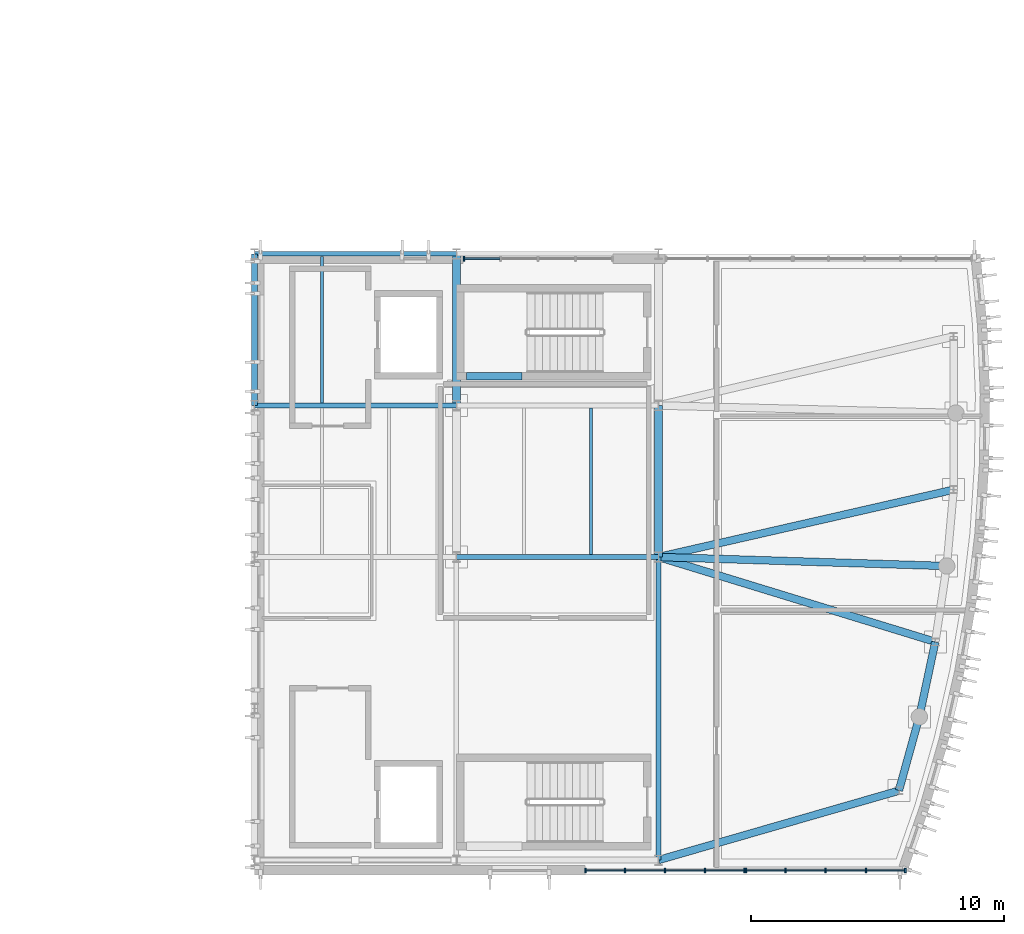
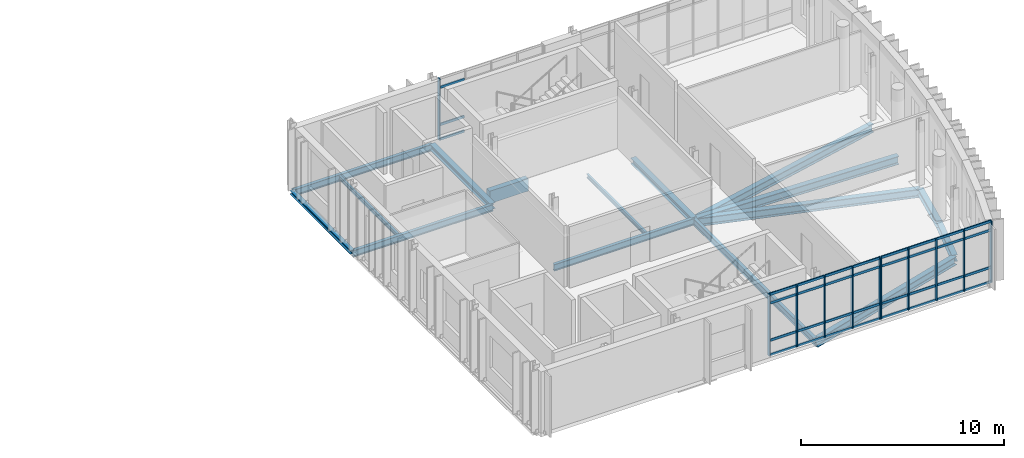
# One storey, part 10 of 28: 46 members, 16 beams, 3 elements without a shape of their own.
"""IFC4 building model written with IfcOpenShell, lengths in metres."""

from ifc_helpers import new_model, si_unit, direction, frame, origin, origin_2d, place, context, subcontext, project, spatial, rectangle, i_section, extrude, material, material_profile, profile_set, type_object, element, aggregate, save


model = new_model("IFC4")

# Units and contexts
model_context = context("Model", 3, precision=1e-05, world=origin(), true_north=direction((0.0, 1.0)))
body_context = subcontext(model_context, "Body", "Model", "MODEL_VIEW")
ifc_project = project(units=[si_unit("LENGTHUNIT", "METRE"), si_unit("AREAUNIT", "SQUARE_METRE"), si_unit("VOLUMEUNIT", "CUBIC_METRE"), si_unit("PLANEANGLEUNIT", "RADIAN"), si_unit("MASSUNIT", "GRAM", prefix="KILO")], contexts=[model_context])

# Site, building, storey
site_placement = place(None, origin())
site = spatial("IfcSite", under=ifc_project, at=site_placement, CompositionType="ELEMENT")
building_placement = place(site_placement, origin())
building = spatial("IfcBuilding", under=site, at=building_placement, Name="Cymarion Research Institute", CompositionType="ELEMENT")
storey_placement = place(building_placement, frame((0.0, 0.0, 30.60009765625)))
storey = spatial("IfcBuildingStorey", under=building, at=storey_placement, Name="L07", CompositionType="ELEMENT", Elevation=30.60009765625)

# Beam
ifc_material_1 = material(Name="Concrete C40/50", Category="concrete")
ifc_material_profile_1 = material_profile(ifc_material_1, rectangle(XDim=0.300048828125, YDim=0.75, at=origin_2d()), Name="RC 300x750")
ifc_profile_set_1 = profile_set([ifc_material_profile_1], Name="Concrete C40/50")
beam_type_1 = type_object("IfcBeamType", Name="COUPLING LINTEL LN01 RC 300x750", PredefinedType="LINTEL", material=ifc_profile_set_1)
beam_1_placement = place(storey_placement, frame((147.0, 24.64990234375, -0.614990234375), z_axis=(1.0, 0.0, 0.0), x_axis=(0.0, 1.0, 0.0)))
element("IfcBeam", 1, at=beam_1_placement, inside=storey, type_object=beam_type_1, Name="L07 C2 core coupling lintel LN01", PredefinedType="LINTEL", context=body_context, shape_type="SweptSolid", body=[
    extrude(rectangle(XDim=0.300048828125, YDim=0.75, at=origin_2d()), origin(), (0.0, 0.0, 1.0), 2.199951171875),
])

# Curtain wall, members
ifc_material_2 = material(Name="Anodised aluminium unitised curtain wall with Low-E glazing", Category="aluminium")
curtain_wall_type_1 = type_object("IfcCurtainWallType", Name="UNITISED CURTAIN WALL CW66 6360X3700", PredefinedType="NOTDEFINED", material=ifc_material_2)
curtain_wall_1_placement = place(storey_placement, origin())
curtain_wall_1 = element("IfcCurtainWall", 2, at=curtain_wall_1_placement, inside=storey, type_object=curtain_wall_type_1, Name="L07 V1 unitised curtain wall CW66 #230", PredefinedType="NOTDEFINED")
ifc_material_3 = material(Name="Anodised aluminium framing", Category="aluminium")
ifc_material_profile_2 = material_profile(ifc_material_3, rectangle(XDim=0.06005859375, YDim=0.179931640625, at=origin_2d()), Name="ALU MULLION 60x180")
ifc_profile_set_2 = profile_set([ifc_material_profile_2], Name="Anodised aluminium framing")
member_type_1 = type_object("IfcMemberType", Name="CURTAIN WALL MULLION ML01 60X180", PredefinedType="MULLION", material=ifc_profile_set_2)
member_1_placement = place(storey_placement, frame((151.7109375, 5.090087890625, 0.0), z_axis=(0.0, 0.0, 1.0), x_axis=(1.0, 0.0, 0.0)))
member_1 = element("IfcMember", 3, at=member_1_placement, type_object=member_type_1, Name="CW66 mullion 1", PredefinedType="MULLION", context=body_context, shape_type="SweptSolid", body=[
    extrude(rectangle(XDim=0.06005859375, YDim=0.179931640625, at=origin_2d()), origin(), (0.0, 0.0, 1.0), 3.699951171875),
])
member_2_placement = place(storey_placement, frame((153.27099609375, 5.090087890625, 0.0), z_axis=(0.0, 0.0, 1.0), x_axis=(1.0, 0.0, 0.0)))
member_2 = element("IfcMember", 4, at=member_2_placement, type_object=member_type_1, Name="CW66 mullion 2", PredefinedType="MULLION", context=body_context, shape_type="SweptSolid", body=[
    extrude(rectangle(XDim=0.06005859375, YDim=0.179931640625, at=origin_2d()), origin(), (0.0, 0.0, 1.0), 3.699951171875),
])
member_3_placement = place(storey_placement, frame((154.86083984375, 5.090087890625, 0.0), z_axis=(0.0, 0.0, 1.0), x_axis=(1.0, 0.0, 0.0)))
member_3 = element("IfcMember", 5, at=member_3_placement, type_object=member_type_1, Name="CW66 mullion 3", PredefinedType="MULLION", context=body_context, shape_type="SweptSolid", body=[
    extrude(rectangle(XDim=0.06005859375, YDim=0.179931640625, at=origin_2d()), origin(), (0.0, 0.0, 1.0), 3.699951171875),
])
member_4_placement = place(storey_placement, frame((156.45068359375, 5.090087890625, 0.0), z_axis=(0.0, 0.0, 1.0), x_axis=(1.0, 0.0, 0.0)))
member_4 = element("IfcMember", 6, at=member_4_placement, type_object=member_type_1, Name="CW66 mullion 4", PredefinedType="MULLION", context=body_context, shape_type="SweptSolid", body=[
    extrude(rectangle(XDim=0.06005859375, YDim=0.179931640625, at=origin_2d()), origin(), (0.0, 0.0, 1.0), 3.699951171875),
])
member_5_placement = place(storey_placement, frame((158.010498046875, 5.090087890625, 0.0), z_axis=(0.0, 0.0, 1.0), x_axis=(1.0, 0.0, 0.0)))
member_5 = element("IfcMember", 7, at=member_5_placement, type_object=member_type_1, Name="CW66 mullion 5", PredefinedType="MULLION", context=body_context, shape_type="SweptSolid", body=[
    extrude(rectangle(XDim=0.06005859375, YDim=0.179931640625, at=origin_2d()), origin(), (0.0, 0.0, 1.0), 3.699951171875),
])

curtain_wall_2_placement = place(storey_placement, origin())
curtain_wall_2 = element("IfcCurtainWall", 8, at=curtain_wall_2_placement, inside=storey, type_object=curtain_wall_type_1, Name="L07 V1 unitised curtain wall CW66 #231", PredefinedType="NOTDEFINED")
member_6_placement = place(storey_placement, frame((158.070556640625, 5.090087890625, 0.0), z_axis=(0.0, 0.0, 1.0), x_axis=(1.0, 0.0, 0.0)))
member_6 = element("IfcMember", 9, at=member_6_placement, type_object=member_type_1, Name="CW66 mullion 1", PredefinedType="MULLION", context=body_context, shape_type="SweptSolid", body=[
    extrude(rectangle(XDim=0.06005859375, YDim=0.179931640625, at=origin_2d()), origin(), (0.0, 0.0, 1.0), 3.699951171875),
])
member_7_placement = place(storey_placement, frame((159.63037109375, 5.090087890625, 0.0), z_axis=(0.0, 0.0, 1.0), x_axis=(1.0, 0.0, 0.0)))
member_7 = element("IfcMember", 10, at=member_7_placement, type_object=member_type_1, Name="CW66 mullion 2", PredefinedType="MULLION", context=body_context, shape_type="SweptSolid", body=[
    extrude(rectangle(XDim=0.06005859375, YDim=0.179931640625, at=origin_2d()), origin(), (0.0, 0.0, 1.0), 3.699951171875),
])
member_8_placement = place(storey_placement, frame((161.22021484375, 5.090087890625, 0.0), z_axis=(0.0, 0.0, 1.0), x_axis=(1.0, 0.0, 0.0)))
member_8 = element("IfcMember", 11, at=member_8_placement, type_object=member_type_1, Name="CW66 mullion 3", PredefinedType="MULLION", context=body_context, shape_type="SweptSolid", body=[
    extrude(rectangle(XDim=0.06005859375, YDim=0.179931640625, at=origin_2d()), origin(), (0.0, 0.0, 1.0), 3.699951171875),
])
member_9_placement = place(storey_placement, frame((162.81005859375, 5.090087890625, 0.0), z_axis=(0.0, 0.0, 1.0), x_axis=(1.0, 0.0, 0.0)))
member_9 = element("IfcMember", 12, at=member_9_placement, type_object=member_type_1, Name="CW66 mullion 4", PredefinedType="MULLION", context=body_context, shape_type="SweptSolid", body=[
    extrude(rectangle(XDim=0.06005859375, YDim=0.179931640625, at=origin_2d()), origin(), (0.0, 0.0, 1.0), 3.699951171875),
])
member_10_placement = place(storey_placement, frame((164.3701171875, 5.090087890625, 0.0), z_axis=(0.0, 0.0, 1.0), x_axis=(1.0, 0.0, 0.0)))
member_10 = element("IfcMember", 13, at=member_10_placement, type_object=member_type_1, Name="CW66 mullion 5", PredefinedType="MULLION", context=body_context, shape_type="SweptSolid", body=[
    extrude(rectangle(XDim=0.06005859375, YDim=0.179931640625, at=origin_2d()), origin(), (0.0, 0.0, 1.0), 3.699951171875),
])

# Curtain wall, member
curtain_wall_type_2 = type_object("IfcCurtainWallType", Name="UNITISED CURTAIN WALL CW69 5950X3700", PredefinedType="NOTDEFINED", material=ifc_material_2)
curtain_wall_3_placement = place(storey_placement, origin())
curtain_wall_3 = element("IfcCurtainWall", 14, at=curtain_wall_3_placement, inside=storey, type_object=curtain_wall_type_2, Name="L07 V1 unitised curtain wall CW69 #234", PredefinedType="NOTDEFINED")
member_11_placement = place(storey_placement, frame((146.889892578125, 29.31005859375, 0.0), z_axis=(0.0, 0.0, 1.0), x_axis=(-1.0, 0.0, 0.0)))
member_11 = element("IfcMember", 15, at=member_11_placement, type_object=member_type_1, Name="CW69 mullion 5", PredefinedType="MULLION", context=body_context, shape_type="SweptSolid", body=[
    extrude(rectangle(XDim=0.06005859375, YDim=0.179931640625, at=origin_2d()), origin(), (0.0, 0.0, 1.0), 3.699951171875),
])

# Member
ifc_material_profile_3 = material_profile(ifc_material_3, rectangle(XDim=0.06005859375, YDim=0.14990234375, at=origin_2d()), Name="ALU TRANSOM 60x150")
ifc_profile_set_3 = profile_set([ifc_material_profile_3], Name="Anodised aluminium framing")
member_type_2 = type_object("IfcMemberType", Name="CURTAIN WALL TRANSOM TR01 60X150", PredefinedType="USERDEFINED", material=ifc_profile_set_3)
member_12_placement = place(storey_placement, frame((151.740966796875, 5.090087890625, 0.02978515625), z_axis=(1.0, 0.0, 0.0), x_axis=(0.0, 1.0, 0.0)))
member_12 = element("IfcMember", 16, at=member_12_placement, type_object=member_type_2, Name="CW66 transom 1.1", ObjectType="TRANSOM", PredefinedType="USERDEFINED", context=body_context, shape_type="SweptSolid", body=[
    extrude(rectangle(XDim=0.06005859375, YDim=0.14990234375, at=origin_2d()), origin(), (0.0, 0.0, 1.0), 1.5),
])

member_13_placement = place(storey_placement, frame((151.740966796875, 5.090087890625, 0.89990234375), z_axis=(1.0, 0.0, 0.0), x_axis=(0.0, 1.0, 0.0)))
member_13 = element("IfcMember", 17, at=member_13_placement, type_object=member_type_2, Name="CW66 transom 1.2", ObjectType="TRANSOM", PredefinedType="USERDEFINED", context=body_context, shape_type="SweptSolid", body=[
    extrude(rectangle(XDim=0.06005859375, YDim=0.14990234375, at=origin_2d()), origin(), (0.0, 0.0, 1.0), 1.5),
])

member_14_placement = place(storey_placement, frame((151.740966796875, 5.090087890625, 3.14990234375), z_axis=(1.0, 0.0, 0.0), x_axis=(0.0, 1.0, 0.0)))
member_14 = element("IfcMember", 18, at=member_14_placement, type_object=member_type_2, Name="CW66 transom 1.3", ObjectType="TRANSOM", PredefinedType="USERDEFINED", context=body_context, shape_type="SweptSolid", body=[
    extrude(rectangle(XDim=0.06005859375, YDim=0.14990234375, at=origin_2d()), origin(), (0.0, 0.0, 1.0), 1.5),
])

member_15_placement = place(storey_placement, frame((151.740966796875, 5.090087890625, 3.669921875), z_axis=(1.0, 0.0, 0.0), x_axis=(0.0, 1.0, 0.0)))
member_15 = element("IfcMember", 19, at=member_15_placement, type_object=member_type_2, Name="CW66 transom 1.4", ObjectType="TRANSOM", PredefinedType="USERDEFINED", context=body_context, shape_type="SweptSolid", body=[
    extrude(rectangle(XDim=0.06005859375, YDim=0.14990234375, at=origin_2d()), origin(), (0.0, 0.0, 1.0), 1.5),
])

member_16_placement = place(storey_placement, frame((153.30078125, 5.090087890625, 0.02978515625), z_axis=(1.0, 0.0, 0.0), x_axis=(0.0, 1.0, 0.0)))
member_16 = element("IfcMember", 20, at=member_16_placement, type_object=member_type_2, Name="CW66 transom 2.1", ObjectType="TRANSOM", PredefinedType="USERDEFINED", context=body_context, shape_type="SweptSolid", body=[
    extrude(rectangle(XDim=0.06005859375, YDim=0.14990234375, at=origin_2d()), origin(), (0.0, 0.0, 1.0), 1.530029296875),
])

member_17_placement = place(storey_placement, frame((153.30078125, 5.090087890625, 0.89990234375), z_axis=(1.0, 0.0, 0.0), x_axis=(0.0, 1.0, 0.0)))
member_17 = element("IfcMember", 21, at=member_17_placement, type_object=member_type_2, Name="CW66 transom 2.2", ObjectType="TRANSOM", PredefinedType="USERDEFINED", context=body_context, shape_type="SweptSolid", body=[
    extrude(rectangle(XDim=0.06005859375, YDim=0.14990234375, at=origin_2d()), origin(), (0.0, 0.0, 1.0), 1.530029296875),
])

member_18_placement = place(storey_placement, frame((153.30078125, 5.090087890625, 3.14990234375), z_axis=(1.0, 0.0, 0.0), x_axis=(0.0, 1.0, 0.0)))
member_18 = element("IfcMember", 22, at=member_18_placement, type_object=member_type_2, Name="CW66 transom 2.3", ObjectType="TRANSOM", PredefinedType="USERDEFINED", context=body_context, shape_type="SweptSolid", body=[
    extrude(rectangle(XDim=0.06005859375, YDim=0.14990234375, at=origin_2d()), origin(), (0.0, 0.0, 1.0), 1.530029296875),
])

member_19_placement = place(storey_placement, frame((153.30078125, 5.090087890625, 3.669921875), z_axis=(1.0, 0.0, 0.0), x_axis=(0.0, 1.0, 0.0)))
member_19 = element("IfcMember", 23, at=member_19_placement, type_object=member_type_2, Name="CW66 transom 2.4", ObjectType="TRANSOM", PredefinedType="USERDEFINED", context=body_context, shape_type="SweptSolid", body=[
    extrude(rectangle(XDim=0.06005859375, YDim=0.14990234375, at=origin_2d()), origin(), (0.0, 0.0, 1.0), 1.530029296875),
])

member_20_placement = place(storey_placement, frame((154.890869140625, 5.090087890625, 0.02978515625), z_axis=(1.0, 0.0, 0.0), x_axis=(0.0, 1.0, 0.0)))
member_20 = element("IfcMember", 24, at=member_20_placement, type_object=member_type_2, Name="CW66 transom 3.1", ObjectType="TRANSOM", PredefinedType="USERDEFINED", context=body_context, shape_type="SweptSolid", body=[
    extrude(rectangle(XDim=0.06005859375, YDim=0.14990234375, at=origin_2d()), origin(), (0.0, 0.0, 1.0), 1.52978515625),
])

member_21_placement = place(storey_placement, frame((154.890869140625, 5.090087890625, 0.89990234375), z_axis=(1.0, 0.0, 0.0), x_axis=(0.0, 1.0, 0.0)))
member_21 = element("IfcMember", 25, at=member_21_placement, type_object=member_type_2, Name="CW66 transom 3.2", ObjectType="TRANSOM", PredefinedType="USERDEFINED", context=body_context, shape_type="SweptSolid", body=[
    extrude(rectangle(XDim=0.06005859375, YDim=0.14990234375, at=origin_2d()), origin(), (0.0, 0.0, 1.0), 1.52978515625),
])

member_22_placement = place(storey_placement, frame((154.890869140625, 5.090087890625, 3.14990234375), z_axis=(1.0, 0.0, 0.0), x_axis=(0.0, 1.0, 0.0)))
member_22 = element("IfcMember", 26, at=member_22_placement, type_object=member_type_2, Name="CW66 transom 3.3", ObjectType="TRANSOM", PredefinedType="USERDEFINED", context=body_context, shape_type="SweptSolid", body=[
    extrude(rectangle(XDim=0.06005859375, YDim=0.14990234375, at=origin_2d()), origin(), (0.0, 0.0, 1.0), 1.52978515625),
])

member_23_placement = place(storey_placement, frame((154.890869140625, 5.090087890625, 3.669921875), z_axis=(1.0, 0.0, 0.0), x_axis=(0.0, 1.0, 0.0)))
member_23 = element("IfcMember", 27, at=member_23_placement, type_object=member_type_2, Name="CW66 transom 3.4", ObjectType="TRANSOM", PredefinedType="USERDEFINED", context=body_context, shape_type="SweptSolid", body=[
    extrude(rectangle(XDim=0.06005859375, YDim=0.14990234375, at=origin_2d()), origin(), (0.0, 0.0, 1.0), 1.52978515625),
])

member_24_placement = place(storey_placement, frame((156.480712890625, 5.090087890625, 0.02978515625), z_axis=(1.0, 0.0, 0.0), x_axis=(0.0, 1.0, 0.0)))
member_24 = element("IfcMember", 28, at=member_24_placement, type_object=member_type_2, Name="CW66 transom 4.1", ObjectType="TRANSOM", PredefinedType="USERDEFINED", context=body_context, shape_type="SweptSolid", body=[
    extrude(rectangle(XDim=0.06005859375, YDim=0.14990234375, at=origin_2d()), origin(), (0.0, 0.0, 1.0), 1.499755859375),
])

member_25_placement = place(storey_placement, frame((156.480712890625, 5.090087890625, 0.89990234375), z_axis=(1.0, 0.0, 0.0), x_axis=(0.0, 1.0, 0.0)))
member_25 = element("IfcMember", 29, at=member_25_placement, type_object=member_type_2, Name="CW66 transom 4.2", ObjectType="TRANSOM", PredefinedType="USERDEFINED", context=body_context, shape_type="SweptSolid", body=[
    extrude(rectangle(XDim=0.06005859375, YDim=0.14990234375, at=origin_2d()), origin(), (0.0, 0.0, 1.0), 1.499755859375),
])

member_26_placement = place(storey_placement, frame((156.480712890625, 5.090087890625, 3.14990234375), z_axis=(1.0, 0.0, 0.0), x_axis=(0.0, 1.0, 0.0)))
member_26 = element("IfcMember", 30, at=member_26_placement, type_object=member_type_2, Name="CW66 transom 4.3", ObjectType="TRANSOM", PredefinedType="USERDEFINED", context=body_context, shape_type="SweptSolid", body=[
    extrude(rectangle(XDim=0.06005859375, YDim=0.14990234375, at=origin_2d()), origin(), (0.0, 0.0, 1.0), 1.499755859375),
])

member_27_placement = place(storey_placement, frame((156.480712890625, 5.090087890625, 3.669921875), z_axis=(1.0, 0.0, 0.0), x_axis=(0.0, 1.0, 0.0)))
member_27 = element("IfcMember", 31, at=member_27_placement, type_object=member_type_2, Name="CW66 transom 4.4", ObjectType="TRANSOM", PredefinedType="USERDEFINED", context=body_context, shape_type="SweptSolid", body=[
    extrude(rectangle(XDim=0.06005859375, YDim=0.14990234375, at=origin_2d()), origin(), (0.0, 0.0, 1.0), 1.499755859375),
])

aggregate(curtain_wall_1, [member_1, member_2, member_3, member_4, member_5, member_12, member_13, member_14, member_15, member_16, member_17, member_18, member_19, member_20, member_21, member_22, member_23, member_24, member_25, member_26, member_27])

member_28_placement = place(storey_placement, frame((158.1005859375, 5.090087890625, 0.02978515625), z_axis=(1.0, 0.0, 0.0), x_axis=(0.0, 1.0, 0.0)))
member_28 = element("IfcMember", 32, at=member_28_placement, type_object=member_type_2, Name="CW66 transom 1.1", ObjectType="TRANSOM", PredefinedType="USERDEFINED", context=body_context, shape_type="SweptSolid", body=[
    extrude(rectangle(XDim=0.06005859375, YDim=0.14990234375, at=origin_2d()), origin(), (0.0, 0.0, 1.0), 1.499755859375),
])

member_29_placement = place(storey_placement, frame((158.1005859375, 5.090087890625, 0.89990234375), z_axis=(1.0, 0.0, 0.0), x_axis=(0.0, 1.0, 0.0)))
member_29 = element("IfcMember", 33, at=member_29_placement, type_object=member_type_2, Name="CW66 transom 1.2", ObjectType="TRANSOM", PredefinedType="USERDEFINED", context=body_context, shape_type="SweptSolid", body=[
    extrude(rectangle(XDim=0.06005859375, YDim=0.14990234375, at=origin_2d()), origin(), (0.0, 0.0, 1.0), 1.499755859375),
])

member_30_placement = place(storey_placement, frame((158.1005859375, 5.090087890625, 3.14990234375), z_axis=(1.0, 0.0, 0.0), x_axis=(0.0, 1.0, 0.0)))
member_30 = element("IfcMember", 34, at=member_30_placement, type_object=member_type_2, Name="CW66 transom 1.3", ObjectType="TRANSOM", PredefinedType="USERDEFINED", context=body_context, shape_type="SweptSolid", body=[
    extrude(rectangle(XDim=0.06005859375, YDim=0.14990234375, at=origin_2d()), origin(), (0.0, 0.0, 1.0), 1.499755859375),
])

member_31_placement = place(storey_placement, frame((158.1005859375, 5.090087890625, 3.669921875), z_axis=(1.0, 0.0, 0.0), x_axis=(0.0, 1.0, 0.0)))
member_31 = element("IfcMember", 35, at=member_31_placement, type_object=member_type_2, Name="CW66 transom 1.4", ObjectType="TRANSOM", PredefinedType="USERDEFINED", context=body_context, shape_type="SweptSolid", body=[
    extrude(rectangle(XDim=0.06005859375, YDim=0.14990234375, at=origin_2d()), origin(), (0.0, 0.0, 1.0), 1.499755859375),
])

member_32_placement = place(storey_placement, frame((159.660400390625, 5.090087890625, 0.02978515625), z_axis=(1.0, 0.0, 0.0), x_axis=(0.0, 1.0, 0.0)))
member_32 = element("IfcMember", 36, at=member_32_placement, type_object=member_type_2, Name="CW66 transom 2.1", ObjectType="TRANSOM", PredefinedType="USERDEFINED", context=body_context, shape_type="SweptSolid", body=[
    extrude(rectangle(XDim=0.06005859375, YDim=0.14990234375, at=origin_2d()), origin(), (0.0, 0.0, 1.0), 1.52978515625),
])

member_33_placement = place(storey_placement, frame((159.660400390625, 5.090087890625, 0.89990234375), z_axis=(1.0, 0.0, 0.0), x_axis=(0.0, 1.0, 0.0)))
member_33 = element("IfcMember", 37, at=member_33_placement, type_object=member_type_2, Name="CW66 transom 2.2", ObjectType="TRANSOM", PredefinedType="USERDEFINED", context=body_context, shape_type="SweptSolid", body=[
    extrude(rectangle(XDim=0.06005859375, YDim=0.14990234375, at=origin_2d()), origin(), (0.0, 0.0, 1.0), 1.52978515625),
])

member_34_placement = place(storey_placement, frame((159.660400390625, 5.090087890625, 3.14990234375), z_axis=(1.0, 0.0, 0.0), x_axis=(0.0, 1.0, 0.0)))
member_34 = element("IfcMember", 38, at=member_34_placement, type_object=member_type_2, Name="CW66 transom 2.3", ObjectType="TRANSOM", PredefinedType="USERDEFINED", context=body_context, shape_type="SweptSolid", body=[
    extrude(rectangle(XDim=0.06005859375, YDim=0.14990234375, at=origin_2d()), origin(), (0.0, 0.0, 1.0), 1.52978515625),
])

member_35_placement = place(storey_placement, frame((159.660400390625, 5.090087890625, 3.669921875), z_axis=(1.0, 0.0, 0.0), x_axis=(0.0, 1.0, 0.0)))
member_35 = element("IfcMember", 39, at=member_35_placement, type_object=member_type_2, Name="CW66 transom 2.4", ObjectType="TRANSOM", PredefinedType="USERDEFINED", context=body_context, shape_type="SweptSolid", body=[
    extrude(rectangle(XDim=0.06005859375, YDim=0.14990234375, at=origin_2d()), origin(), (0.0, 0.0, 1.0), 1.52978515625),
])

member_36_placement = place(storey_placement, frame((161.250244140625, 5.090087890625, 0.02978515625), z_axis=(1.0, 0.0, 0.0), x_axis=(0.0, 1.0, 0.0)))
member_36 = element("IfcMember", 40, at=member_36_placement, type_object=member_type_2, Name="CW66 transom 3.1", ObjectType="TRANSOM", PredefinedType="USERDEFINED", context=body_context, shape_type="SweptSolid", body=[
    extrude(rectangle(XDim=0.06005859375, YDim=0.14990234375, at=origin_2d()), origin(), (0.0, 0.0, 1.0), 1.52978515625),
])

member_37_placement = place(storey_placement, frame((161.250244140625, 5.090087890625, 0.89990234375), z_axis=(1.0, 0.0, 0.0), x_axis=(0.0, 1.0, 0.0)))
member_37 = element("IfcMember", 41, at=member_37_placement, type_object=member_type_2, Name="CW66 transom 3.2", ObjectType="TRANSOM", PredefinedType="USERDEFINED", context=body_context, shape_type="SweptSolid", body=[
    extrude(rectangle(XDim=0.06005859375, YDim=0.14990234375, at=origin_2d()), origin(), (0.0, 0.0, 1.0), 1.52978515625),
])

member_38_placement = place(storey_placement, frame((161.250244140625, 5.090087890625, 3.14990234375), z_axis=(1.0, 0.0, 0.0), x_axis=(0.0, 1.0, 0.0)))
member_38 = element("IfcMember", 42, at=member_38_placement, type_object=member_type_2, Name="CW66 transom 3.3", ObjectType="TRANSOM", PredefinedType="USERDEFINED", context=body_context, shape_type="SweptSolid", body=[
    extrude(rectangle(XDim=0.06005859375, YDim=0.14990234375, at=origin_2d()), origin(), (0.0, 0.0, 1.0), 1.52978515625),
])

member_39_placement = place(storey_placement, frame((161.250244140625, 5.090087890625, 3.669921875), z_axis=(1.0, 0.0, 0.0), x_axis=(0.0, 1.0, 0.0)))
member_39 = element("IfcMember", 43, at=member_39_placement, type_object=member_type_2, Name="CW66 transom 3.4", ObjectType="TRANSOM", PredefinedType="USERDEFINED", context=body_context, shape_type="SweptSolid", body=[
    extrude(rectangle(XDim=0.06005859375, YDim=0.14990234375, at=origin_2d()), origin(), (0.0, 0.0, 1.0), 1.52978515625),
])

member_40_placement = place(storey_placement, frame((162.840087890625, 5.090087890625, 0.02978515625), z_axis=(1.0, 0.0, 0.0), x_axis=(0.0, 1.0, 0.0)))
member_40 = element("IfcMember", 44, at=member_40_placement, type_object=member_type_2, Name="CW66 transom 4.1", ObjectType="TRANSOM", PredefinedType="USERDEFINED", context=body_context, shape_type="SweptSolid", body=[
    extrude(rectangle(XDim=0.06005859375, YDim=0.14990234375, at=origin_2d()), origin(), (0.0, 0.0, 1.0), 1.5),
])

member_41_placement = place(storey_placement, frame((162.840087890625, 5.090087890625, 0.89990234375), z_axis=(1.0, 0.0, 0.0), x_axis=(0.0, 1.0, 0.0)))
member_41 = element("IfcMember", 45, at=member_41_placement, type_object=member_type_2, Name="CW66 transom 4.2", ObjectType="TRANSOM", PredefinedType="USERDEFINED", context=body_context, shape_type="SweptSolid", body=[
    extrude(rectangle(XDim=0.06005859375, YDim=0.14990234375, at=origin_2d()), origin(), (0.0, 0.0, 1.0), 1.5),
])

member_42_placement = place(storey_placement, frame((162.840087890625, 5.090087890625, 3.14990234375), z_axis=(1.0, 0.0, 0.0), x_axis=(0.0, 1.0, 0.0)))
member_42 = element("IfcMember", 46, at=member_42_placement, type_object=member_type_2, Name="CW66 transom 4.3", ObjectType="TRANSOM", PredefinedType="USERDEFINED", context=body_context, shape_type="SweptSolid", body=[
    extrude(rectangle(XDim=0.06005859375, YDim=0.14990234375, at=origin_2d()), origin(), (0.0, 0.0, 1.0), 1.5),
])

member_43_placement = place(storey_placement, frame((162.840087890625, 5.090087890625, 3.669921875), z_axis=(1.0, 0.0, 0.0), x_axis=(0.0, 1.0, 0.0)))
member_43 = element("IfcMember", 47, at=member_43_placement, type_object=member_type_2, Name="CW66 transom 4.4", ObjectType="TRANSOM", PredefinedType="USERDEFINED", context=body_context, shape_type="SweptSolid", body=[
    extrude(rectangle(XDim=0.06005859375, YDim=0.14990234375, at=origin_2d()), origin(), (0.0, 0.0, 1.0), 1.5),
])

aggregate(curtain_wall_2, [member_6, member_7, member_8, member_9, member_10, member_28, member_29, member_30, member_31, member_32, member_33, member_34, member_35, member_36, member_37, member_38, member_39, member_40, member_41, member_42, member_43])

member_44_placement = place(storey_placement, frame((148.31689453125, 29.31005859375, 0.02978515625), z_axis=(-1.0, 0.0, 0.0), x_axis=(0.0, -1.0, 0.0)))
member_44 = element("IfcMember", 48, at=member_44_placement, type_object=member_type_2, Name="CW69 transom 4.1", ObjectType="TRANSOM", PredefinedType="USERDEFINED", context=body_context, shape_type="SweptSolid", body=[
    extrude(rectangle(XDim=0.06005859375, YDim=0.14990234375, at=origin_2d()), origin(), (0.0, 0.0, 1.0), 1.39697265625),
])

member_45_placement = place(storey_placement, frame((148.31689453125, 29.31005859375, 0.89990234375), z_axis=(-1.0, 0.0, 0.0), x_axis=(0.0, -1.0, 0.0)))
member_45 = element("IfcMember", 49, at=member_45_placement, type_object=member_type_2, Name="CW69 transom 4.2", ObjectType="TRANSOM", PredefinedType="USERDEFINED", context=body_context, shape_type="SweptSolid", body=[
    extrude(rectangle(XDim=0.06005859375, YDim=0.14990234375, at=origin_2d()), origin(), (0.0, 0.0, 1.0), 1.39697265625),
])

member_46_placement = place(storey_placement, frame((148.31689453125, 29.31005859375, 3.14990234375), z_axis=(-1.0, 0.0, 0.0), x_axis=(0.0, -1.0, 0.0)))
member_46 = element("IfcMember", 50, at=member_46_placement, type_object=member_type_2, Name="CW69 transom 4.3", ObjectType="TRANSOM", PredefinedType="USERDEFINED", context=body_context, shape_type="SweptSolid", body=[
    extrude(rectangle(XDim=0.06005859375, YDim=0.14990234375, at=origin_2d()), origin(), (0.0, 0.0, 1.0), 1.39697265625),
])

aggregate(curtain_wall_3, [member_11, member_44, member_45, member_46])

# Beams
ifc_material_4 = material(Name="Steel S355", Category="steel")
ifc_material_profile_4 = material_profile(ifc_material_4, i_section(OverallWidth=0.179931640625, OverallDepth=0.39990234375, WebThickness=0.008544921875, FlangeThickness=0.013427734375, FilletRadius=0.02099609375, at=origin_2d()), Name="IPE 400")
ifc_profile_set_4 = profile_set([ifc_material_profile_4], Name="Steel S355")
beam_type_2 = type_object("IfcBeamType", Name="PRIMARY GIRDER BM05 IPE 400", PredefinedType="BEAM", material=ifc_profile_set_4)
for number, where, z_axis, x_axis, name in (
    (51, (146.60595703125, 17.5, -0.420166015625), (1.0, 0.0, 0.0), (0.0, 1.0, 0.0), "L07 V1 girder BM05 #2192"),
    (52, (138.60595703125, 23.5, -0.420166015625), (1.0, 0.0, 0.0), (0.0, 1.0, 0.0), "L07 V1 girder BM05 #2193"),
    (53, (138.60595703125, 29.5, -0.420166015625), (1.0, 0.0, 0.0), (0.0, 1.0, 0.0), "L07 V1 girder BM05 #2195"),
):
    element("IfcBeam", number, at=place(storey_placement, frame(where, z_axis=z_axis, x_axis=x_axis)), inside=storey, type_object=beam_type_2, Name=name, PredefinedType="BEAM", context=body_context, shape_type="SweptSolid", body=[
        extrude(i_section(OverallWidth=0.179931640625, OverallDepth=0.39990234375, WebThickness=0.008544921875, FlangeThickness=0.013427734375, FilletRadius=0.02099609375, at=origin_2d()), origin(), (0.0, 0.0, 1.0), 7.988037109375),
    ])
beam_2_placement = place(storey_placement, frame((154.60009765625, 5.506103515625, -0.420166015625), z_axis=(0.0, 1.0, 0.0), x_axis=(-1.0, 0.0, 0.0)))
element("IfcBeam", 54, at=beam_2_placement, inside=storey, type_object=beam_type_2, Name="L07 V1 girder BM05 #2204", PredefinedType="BEAM", context=body_context, shape_type="SweptSolid", body=[
    extrude(i_section(OverallWidth=0.179931640625, OverallDepth=0.39990234375, WebThickness=0.008544921875, FlangeThickness=0.013427734375, FilletRadius=0.02099609375, at=origin_2d()), origin(), (0.0, 0.0, 1.0), 11.98779296875),
])
ifc_material_profile_5 = material_profile(ifc_material_4, i_section(OverallWidth=0.300048828125, OverallDepth=0.5, WebThickness=0.014404296875, FlangeThickness=0.028076171875, FilletRadius=0.027099609375, at=origin_2d()), Name="HEB 500")
ifc_profile_set_5 = profile_set([ifc_material_profile_5], Name="Steel S355")
beam_type_3 = type_object("IfcBeamType", Name="PRIMARY GIRDER BM09 HEB 500", PredefinedType="BEAM", material=ifc_profile_set_5)
beam_3_placement = place(storey_placement, frame((154.607666015625, 5.502197265625, -0.47021484375), z_axis=(0.960790340878, 0.277275893067, 0.0), x_axis=(-0.277275893067, 0.960790340878, 0.0)))
element("IfcBeam", 55, at=beam_3_placement, inside=storey, type_object=beam_type_3, Name="L07 V1 radial prow girder BM09 #2212", PredefinedType="BEAM", context=body_context, shape_type="SweptSolid", body=[
    extrude(i_section(OverallWidth=0.300048828125, OverallDepth=0.5, WebThickness=0.014404296875, FlangeThickness=0.028076171875, FilletRadius=0.027099609375, at=origin_2d()), origin(), (0.0, 0.0, 1.0), 9.8916015625),
])
beam_4_placement = place(storey_placement, frame((154.607666015625, 17.497802734375, -0.47021484375), z_axis=(0.956111343016, -0.29300358318, 0.0), x_axis=(0.29300358318, 0.956111343016, 0.0)))
element("IfcBeam", 56, at=beam_4_placement, inside=storey, type_object=beam_type_3, Name="L07 V1 radial prow girder BM09 #2213", PredefinedType="BEAM", context=body_context, shape_type="SweptSolid", body=[
    extrude(i_section(OverallWidth=0.300048828125, OverallDepth=0.5, WebThickness=0.014404296875, FlangeThickness=0.028076171875, FilletRadius=0.027099609375, at=origin_2d()), origin(), (0.0, 0.0, 1.0), 11.447021484375),
])
beam_5_placement = place(storey_placement, frame((154.60791015625, 17.499755859375, -0.47021484375), z_axis=(0.999510612774, -0.03128154332, 0.0), x_axis=(0.03128154332, 0.999510612774, 0.0)))
element("IfcBeam", 57, at=beam_5_placement, inside=storey, type_object=beam_type_3, Name="L07 V1 radial prow girder BM09 #2214", PredefinedType="BEAM", context=body_context, shape_type="SweptSolid", body=[
    extrude(i_section(OverallWidth=0.300048828125, OverallDepth=0.5, WebThickness=0.014404296875, FlangeThickness=0.028076171875, FilletRadius=0.027099609375, at=origin_2d()), origin(), (0.0, 0.0, 1.0), 11.402587890625),
])
beam_6_placement = place(storey_placement, frame((154.60791015625, 17.501708984375, -0.47021484375), z_axis=(0.974944767555, 0.222447072846, 0.0), x_axis=(-0.222447072846, 0.974944767555, 0.0)))
element("IfcBeam", 58, at=beam_6_placement, inside=storey, type_object=beam_type_3, Name="L07 V1 radial prow girder BM09 #2215", PredefinedType="BEAM", context=body_context, shape_type="SweptSolid", body=[
    extrude(i_section(OverallWidth=0.300048828125, OverallDepth=0.5, WebThickness=0.014404296875, FlangeThickness=0.028076171875, FilletRadius=0.027099609375, at=origin_2d()), origin(), (0.0, 0.0, 1.0), 11.969482421875),
])
ifc_material_profile_6 = material_profile(ifc_material_4, i_section(OverallWidth=0.300048828125, OverallDepth=0.39990234375, WebThickness=0.013427734375, FlangeThickness=0.02392578125, FilletRadius=0.027099609375, at=origin_2d()), Name="HEB 400")
ifc_profile_set_6 = profile_set([ifc_material_profile_6], Name="Steel S355")
beam_type_4 = type_object("IfcBeamType", Name="PRIMARY GIRDER BM11 HEB 400", PredefinedType="BEAM", material=ifc_profile_set_6)
for number, where, z_axis, x_axis, name in (
    (59, (164.12109375, 8.254638671875, -0.420166015625), (0.266488575035, 0.963838077364, 0.0), (-0.963838077364, 0.266488575035, 0.0), "L07 V1 prow ring girder BM11 #2208"),
    (60, (164.929443359375, 11.180419921875, -0.420166015625), (0.208198161849, 0.978086665589, 0.0), (-0.978086665589, 0.208198161849, 0.0), "L07 V1 prow ring girder BM11 #2209"),
):
    element("IfcBeam", number, at=place(storey_placement, frame(where, z_axis=z_axis, x_axis=x_axis)), inside=storey, type_object=beam_type_4, Name=name, PredefinedType="BEAM", context=body_context, shape_type="SweptSolid", body=[
        extrude(i_section(OverallWidth=0.300048828125, OverallDepth=0.39990234375, WebThickness=0.013427734375, FlangeThickness=0.02392578125, FilletRadius=0.027099609375, at=origin_2d()), origin(), (0.0, 0.0, 1.0), 3.01953125),
    ])
ifc_material_profile_7 = material_profile(ifc_material_4, i_section(OverallWidth=0.300048828125, OverallDepth=0.35009765625, WebThickness=0.010009765625, FlangeThickness=0.017578125, FilletRadius=0.027099609375, at=origin_2d()), Name="HEA 360")
ifc_profile_set_7 = profile_set([ifc_material_profile_7], Name="Steel S355")
beam_type_5 = type_object("IfcBeamType", Name="PRIMARY GIRDER BM12 HEA 360", PredefinedType="BEAM", material=ifc_profile_set_7)
for number, where, z_axis, x_axis, name in (
    (61, (146.60009765625, 23.506103515625, -0.39501953125), (0.0, 1.0, 0.0), (-1.0, 0.0, 0.0), "L07 V1 girder BM12 #2203"),
    (62, (154.60009765625, 17.506103515625, -0.39501953125), (0.0, 1.0, 0.0), (-1.0, 0.0, 0.0), "L07 V1 girder BM12 #2205"),
):
    element("IfcBeam", number, at=place(storey_placement, frame(where, z_axis=z_axis, x_axis=x_axis)), inside=storey, type_object=beam_type_5, Name=name, PredefinedType="BEAM", context=body_context, shape_type="SweptSolid", body=[
        extrude(i_section(OverallWidth=0.300048828125, OverallDepth=0.35009765625, WebThickness=0.010009765625, FlangeThickness=0.017578125, FilletRadius=0.027099609375, at=origin_2d()), origin(), (0.0, 0.0, 1.0), 5.98779296875),
    ])
ifc_material_profile_8 = material_profile(ifc_material_4, i_section(OverallWidth=0.1201171875, OverallDepth=0.239990234375, WebThickness=0.006103515625, FlangeThickness=0.009765625, FilletRadius=0.014892578125, at=origin_2d()), Name="IPE 240")
ifc_profile_set_8 = profile_set([ifc_material_profile_8], Name="Steel S355")
beam_type_6 = type_object("IfcBeamType", Name="SECONDARY JOIST JS04 IPE 240", PredefinedType="JOIST", material=ifc_profile_set_8)
for number, where, z_axis, x_axis, name in (
    (63, (151.933349609375, 17.593994140625, -0.340087890625), (0.0, 1.0, 0.0), (-1.0, 0.0, 0.0), "L07 V1 secondary joist JS04 #2221"),
    (64, (141.2666015625, 23.593994140625, -0.340087890625), (0.0, 1.0, 0.0), (-1.0, 0.0, 0.0), "L07 V1 secondary joist JS04 #2222"),
):
    element("IfcBeam", number, at=place(storey_placement, frame(where, z_axis=z_axis, x_axis=x_axis)), inside=storey, type_object=beam_type_6, Name=name, PredefinedType="JOIST", context=body_context, shape_type="SweptSolid", body=[
        extrude(i_section(OverallWidth=0.1201171875, OverallDepth=0.239990234375, WebThickness=0.006103515625, FlangeThickness=0.009765625, FilletRadius=0.014892578125, at=origin_2d()), origin(), (0.0, 0.0, 1.0), 5.81201171875),
    ])
ifc_material_profile_9 = material_profile(ifc_material_4, i_section(OverallWidth=0.239990234375, OverallDepth=0.22998046875, WebThickness=0.007568359375, FlangeThickness=0.011962890625, FilletRadius=0.02099609375, at=origin_2d()), Name="HEA 240")
ifc_profile_set_9 = profile_set([ifc_material_profile_9], Name="Steel S355")
beam_type_7 = type_object("IfcBeamType", Name="SPANDREL BEAM SPB03 HEA 240", PredefinedType="SPANDREL", material=ifc_profile_set_9)
beam_7_placement = place(storey_placement, frame((138.60009765625, 23.506103515625, -0.335205078125), z_axis=(0.0, 1.0, 0.0), x_axis=(-1.0, 0.0, 0.0)))
element("IfcBeam", 65, at=beam_7_placement, inside=storey, type_object=beam_type_7, Name="L07 V1 girder SPB03 #2200", PredefinedType="SPANDREL", context=body_context, shape_type="SweptSolid", body=[
    extrude(i_section(OverallWidth=0.239990234375, OverallDepth=0.22998046875, WebThickness=0.007568359375, FlangeThickness=0.011962890625, FilletRadius=0.02099609375, at=origin_2d()), origin(), (0.0, 0.0, 1.0), 5.98779296875),
])

save(model, "model.ifc")
